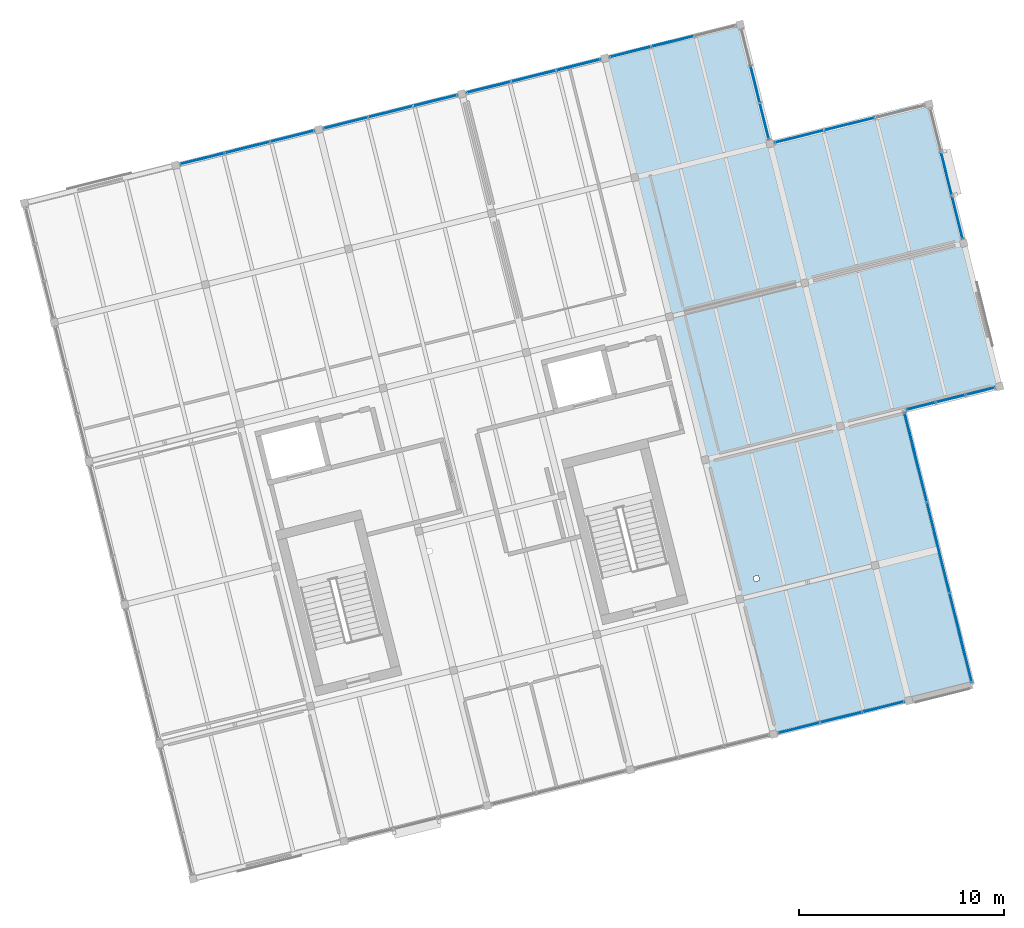
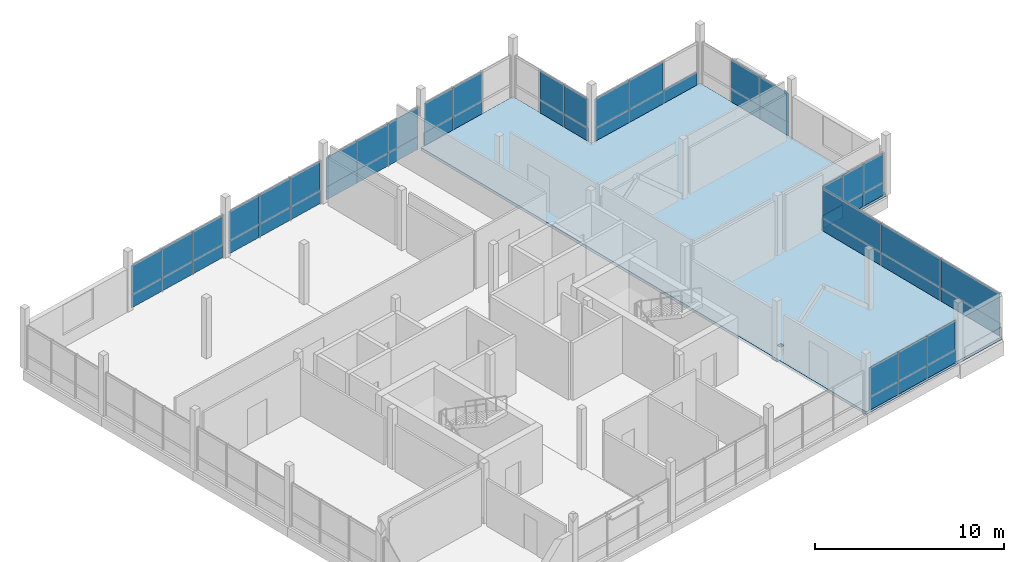
# One storey, part 24 of 28: 53 plates, 1 slab, 10 elements without a shape of their own.
"""IFC4 building model written with IfcOpenShell, lengths in metres."""

from ifc_helpers import new_model, si_unit, direction, frame, origin, origin_2d, place, context, subcontext, project, spatial, polyline, rectangle, outline, extrude, material, layer, layer_set, type_object, element, aggregate, save


model = new_model("IFC4")

# Units and contexts
model_context = context("Model", 3, precision=1e-05, world=origin(), true_north=direction((0.0, 1.0)))
body_context = subcontext(model_context, "Body", "Model", "MODEL_VIEW")
ifc_project = project(units=[si_unit("LENGTHUNIT", "METRE"), si_unit("AREAUNIT", "SQUARE_METRE"), si_unit("VOLUMEUNIT", "CUBIC_METRE"), si_unit("PLANEANGLEUNIT", "RADIAN"), si_unit("MASSUNIT", "GRAM", prefix="KILO")], contexts=[model_context])

# Site, building, storey
site_placement = place(None, origin())
site = spatial("IfcSite", under=ifc_project, at=site_placement, CompositionType="ELEMENT")
building_placement = place(site_placement, origin())
building = spatial("IfcBuilding", under=site, at=building_placement, Name="Meriwether Solvik Hall", CompositionType="ELEMENT")
storey_placement = place(building_placement, frame((0.0, 0.0, 37.800048828125)))
storey = spatial("IfcBuildingStorey", under=building, at=storey_placement, Name="L09", CompositionType="ELEMENT", Elevation=37.800048828125)

# Curtain wall, plates
ifc_material_1 = material(Name="Thermally Broken Anodised Aluminium 6063-T6 and Low-E Glass", Category="aluminium")
ifc_layer_1 = layer(ifc_material_1, 0.179931640625)
ifc_layer_set_1 = layer_set([ifc_layer_1], Name="Thermally Broken Anodised Aluminium 6063-T6 and Low-E Glass")
curtain_wall_type_1 = type_object("IfcCurtainWallType", Name="CW-UNIT-D", PredefinedType="USERDEFINED", material=ifc_layer_set_1)
curtain_wall_1_placement = place(storey_placement, origin())
curtain_wall_1 = element("IfcCurtainWall", 1, at=curtain_wall_1_placement, inside=storey, type_object=curtain_wall_type_1, Name="Curtain Wall E3_B1 (L09)", ObjectType="UNITISED CURTAIN WALL", PredefinedType="USERDEFINED")
ifc_material_2 = material(Name="Low-Emissivity Double-Glazed Laminated Glass", Category="glass")
ifc_layer_2 = layer(ifc_material_2, 0.031982421875)
ifc_layer_set_2 = layer_set([ifc_layer_2], Name="Low-Emissivity Double-Glazed Laminated Glass")
plate_type_1 = type_object("IfcPlateType", Name="PLT-GLZ-180X185", PredefinedType="CURTAIN_PANEL", material=ifc_layer_set_2)
plate_1_placement = place(storey_placement, frame((105.365966796875, 75.61669921875, 0.8369140625), z_axis=(0.0, 0.0, 1.0), x_axis=(0.241921804422, -0.970295749009, 0.0)))
plate_1 = element("IfcPlate", 2, at=plate_1_placement, type_object=plate_type_1, Name="Low-E Vision Glazing Panel 2", PredefinedType="CURTAIN_PANEL", context=body_context, shape_type="SweptSolid", body=[
    extrude(rectangle(XDim=2.19580078125, YDim=0.033935546875, at=origin_2d()), origin(), (0.0, 0.0, 1.0), 1.89306640625),
])
plate_2_placement = place(storey_placement, frame((105.89453125, 73.4970703125, 0.8369140625), z_axis=(0.0, 0.0, 1.0), x_axis=(0.241921804422, -0.970295749009, 0.0)))
plate_2 = element("IfcPlate", 3, at=plate_2_placement, type_object=plate_type_1, Name="Low-E Vision Glazing Panel 3", PredefinedType="CURTAIN_PANEL", context=body_context, shape_type="SweptSolid", body=[
    extrude(rectangle(XDim=2.15771484375, YDim=0.033935546875, at=origin_2d()), origin(), (0.0, 0.0, 1.0), 1.89306640625),
])

ifc_material_3 = material(Name="Thermally Broken Anodised Aluminium 6063-T6 and Low-E Glass", Category="aluminium")
ifc_layer_3 = layer(ifc_material_3, 0.179931640625)
ifc_layer_set_3 = layer_set([ifc_layer_3], Name="Thermally Broken Anodised Aluminium 6063-T6 and Low-E Glass")
curtain_wall_type_2 = type_object("IfcCurtainWallType", Name="CW-UNIT-G", PredefinedType="USERDEFINED", material=ifc_layer_set_3)
curtain_wall_2_placement = place(storey_placement, origin())
curtain_wall_2 = element("IfcCurtainWall", 4, at=curtain_wall_2_placement, inside=storey, type_object=curtain_wall_type_2, Name="Curtain Wall E6_B1 (L09)", ObjectType="UNITISED CURTAIN WALL", PredefinedType="USERDEFINED")
plate_3_placement = place(storey_placement, frame((69.0576171875, 76.35498046875, 0.8369140625), z_axis=(0.0, 0.0, 1.0), x_axis=(0.970295725693, 0.241921897937, 0.0)))
plate_3 = element("IfcPlate", 5, at=plate_3_placement, type_object=plate_type_1, Name="Low-E Vision Glazing Panel 1", PredefinedType="CURTAIN_PANEL", context=body_context, shape_type="SweptSolid", body=[
    extrude(rectangle(XDim=2.224365234375, YDim=0.033935546875, at=origin_2d()), origin(), (0.0, 0.0, 1.0), 1.89306640625),
])
plate_4_placement = place(storey_placement, frame((71.241943359375, 76.899658203125, 0.8369140625), z_axis=(0.0, 0.0, 1.0), x_axis=(0.970295725693, 0.241921897937, 0.0)))
plate_4 = element("IfcPlate", 6, at=plate_4_placement, type_object=plate_type_1, Name="Low-E Vision Glazing Panel 2", PredefinedType="CURTAIN_PANEL", context=body_context, shape_type="SweptSolid", body=[
    extrude(rectangle(XDim=2.26220703125, YDim=0.033935546875, at=origin_2d()), origin(), (0.0, 0.0, 1.0), 1.89306640625),
])
plate_5_placement = place(storey_placement, frame((73.426513671875, 77.4443359375, 0.8369140625), z_axis=(0.0, 0.0, 1.0), x_axis=(0.970295725693, 0.241921897937, 0.0)))
plate_5 = element("IfcPlate", 7, at=plate_5_placement, type_object=plate_type_1, Name="Low-E Vision Glazing Panel 3", PredefinedType="CURTAIN_PANEL", context=body_context, shape_type="SweptSolid", body=[
    extrude(rectangle(XDim=2.224365234375, YDim=0.033935546875, at=origin_2d()), origin(), (0.0, 0.0, 1.0), 1.89306640625),
])

curtain_wall_3_placement = place(storey_placement, origin())
curtain_wall_3 = element("IfcCurtainWall", 8, at=curtain_wall_3_placement, inside=storey, type_object=curtain_wall_type_1, Name="Curtain Wall E0_B4 (L09)", ObjectType="UNITISED CURTAIN WALL", PredefinedType="USERDEFINED")
ifc_material_4 = material(Name="Low-Emissivity Double-Glazed Laminated Glass", Category="glass")
ifc_layer_4 = layer(ifc_material_4, 0.031982421875)
ifc_layer_set_4 = layer_set([ifc_layer_4], Name="Low-Emissivity Double-Glazed Laminated Glass")
plate_type_2 = type_object("IfcPlateType", Name="PLT-GLZ-195X185", PredefinedType="CURTAIN_PANEL", material=ifc_layer_set_4)
plate_6_placement = place(storey_placement, frame((102.28662109375, 49.59912109375, 0.8369140625), z_axis=(0.0, 0.0, 1.0), x_axis=(-0.970295737161, -0.241921851942, 0.0)))
plate_6 = element("IfcPlate", 9, at=plate_6_placement, type_object=plate_type_2, Name="Low-E Vision Glazing Panel 1", PredefinedType="CURTAIN_PANEL", context=body_context, shape_type="SweptSolid", body=[
    extrude(rectangle(XDim=2.091064453125, YDim=0.033935546875, at=origin_2d()), origin(), (0.0, 0.0, 1.0), 1.89306640625),
])
plate_7_placement = place(storey_placement, frame((100.231689453125, 49.086669921875, 0.8369140625), z_axis=(0.0, 0.0, 1.0), x_axis=(-0.970295737161, -0.241921851942, 0.0)))
plate_7 = element("IfcPlate", 10, at=plate_7_placement, type_object=plate_type_2, Name="Low-E Vision Glazing Panel 2", PredefinedType="CURTAIN_PANEL", context=body_context, shape_type="SweptSolid", body=[
    extrude(rectangle(XDim=2.12890625, YDim=0.033935546875, at=origin_2d()), origin(), (0.0, 0.0, 1.0), 1.89306640625),
])
plate_8_placement = place(storey_placement, frame((98.176513671875, 48.57421875, 0.8369140625), z_axis=(0.0, 0.0, 1.0), x_axis=(-0.970295737161, -0.241921851942, 0.0)))
plate_8 = element("IfcPlate", 11, at=plate_8_placement, type_object=plate_type_2, Name="Low-E Vision Glazing Panel 3", PredefinedType="CURTAIN_PANEL", context=body_context, shape_type="SweptSolid", body=[
    extrude(rectangle(XDim=2.091064453125, YDim=0.033935546875, at=origin_2d()), origin(), (0.0, 0.0, 1.0), 1.89306640625),
])

ifc_material_5 = material(Name="Thermally Broken Anodised Aluminium 6063-T6 and Low-E Glass", Category="aluminium")
ifc_layer_5 = layer(ifc_material_5, 0.179931640625)
ifc_layer_set_5 = layer_set([ifc_layer_5], Name="Thermally Broken Anodised Aluminium 6063-T6 and Low-E Glass")
curtain_wall_type_3 = type_object("IfcCurtainWallType", Name="CW-UNIT-A", PredefinedType="USERDEFINED", material=ifc_layer_set_5)
curtain_wall_4_placement = place(storey_placement, origin())
curtain_wall_4 = element("IfcCurtainWall", 12, at=curtain_wall_4_placement, inside=storey, type_object=curtain_wall_type_3, Name="Curtain Wall E1_B0 (L09)", ObjectType="UNITISED CURTAIN WALL", PredefinedType="USERDEFINED")
plate_9_placement = place(storey_placement, frame((103.87109375, 61.771484375, 0.8369140625), z_axis=(0.0, 0.0, 1.0), x_axis=(0.241921914296, -0.970295721615, 0.0)))
plate_9 = element("IfcPlate", 13, at=plate_9_placement, type_object=plate_type_2, Name="Low-E Vision Glazing Panel 1", PredefinedType="CURTAIN_PANEL", context=body_context, shape_type="SweptSolid", body=[
    extrude(rectangle(XDim=4.500732421875, YDim=0.033935546875, at=origin_2d()), origin(), (0.0, 0.0, 1.0), 1.89306640625),
])
plate_10_placement = place(storey_placement, frame((104.96630859375, 57.37841796875, 0.8369140625), z_axis=(0.0, 0.0, 1.0), x_axis=(0.241921914296, -0.970295721615, 0.0)))
plate_10 = element("IfcPlate", 14, at=plate_10_placement, type_object=plate_type_2, Name="Low-E Vision Glazing Panel 2", PredefinedType="CURTAIN_PANEL", context=body_context, shape_type="SweptSolid", body=[
    extrude(rectangle(XDim=4.538818359375, YDim=0.033935546875, at=origin_2d()), origin(), (0.0, 0.0, 1.0), 1.89306640625),
])
plate_11_placement = place(storey_placement, frame((106.061767578125, 52.985107421875, 0.8369140625), z_axis=(0.0, 0.0, 1.0), x_axis=(0.241921914296, -0.970295721615, 0.0)))
plate_11 = element("IfcPlate", 15, at=plate_11_placement, type_object=plate_type_2, Name="Low-E Vision Glazing Panel 3", PredefinedType="CURTAIN_PANEL", context=body_context, shape_type="SweptSolid", body=[
    extrude(rectangle(XDim=4.500732421875, YDim=0.033935546875, at=origin_2d()), origin(), (0.0, 0.0, 1.0), 1.89306640625),
])

ifc_material_6 = material(Name="Thermally Broken Anodised Aluminium 6063-T6 and Low-E Glass", Category="aluminium")
ifc_layer_6 = layer(ifc_material_6, 0.179931640625)
ifc_layer_set_6 = layer_set([ifc_layer_6], Name="Thermally Broken Anodised Aluminium 6063-T6 and Low-E Glass")
curtain_wall_type_4 = type_object("IfcCurtainWallType", Name="CW-UNIT-B", PredefinedType="USERDEFINED", material=ifc_layer_set_6)
curtain_wall_5_placement = place(storey_placement, origin())
curtain_wall_5 = element("IfcCurtainWall", 16, at=curtain_wall_5_placement, inside=storey, type_object=curtain_wall_type_4, Name="Curtain Wall E2_B0 (L09)", ObjectType="UNITISED CURTAIN WALL", PredefinedType="USERDEFINED")
plate_12_placement = place(storey_placement, frame((107.015380859375, 65.00048828125, 0.8369140625), z_axis=(0.0, 0.0, 1.0), x_axis=(-0.970295698341, -0.241922007641, 0.0)))
plate_12 = element("IfcPlate", 17, at=plate_12_placement, type_object=plate_type_2, Name="Low-E Vision Glazing Panel 1", PredefinedType="CURTAIN_PANEL", context=body_context, shape_type="SweptSolid", body=[
    extrude(rectangle(XDim=1.46240234375, YDim=0.033935546875, at=origin_2d()), origin(), (0.0, 0.0, 1.0), 1.89306640625),
])
plate_13_placement = place(storey_placement, frame((105.5703125, 64.64013671875, 0.8369140625), z_axis=(0.0, 0.0, 1.0), x_axis=(-0.970295698341, -0.241922007641, 0.0)))
plate_13 = element("IfcPlate", 18, at=plate_13_placement, type_object=plate_type_2, Name="Low-E Vision Glazing Panel 2", PredefinedType="CURTAIN_PANEL", context=body_context, shape_type="SweptSolid", body=[
    extrude(rectangle(XDim=1.50048828125, YDim=0.033935546875, at=origin_2d()), origin(), (0.0, 0.0, 1.0), 1.89306640625),
])
plate_14_placement = place(storey_placement, frame((104.125, 64.27978515625, 0.8369140625), z_axis=(0.0, 0.0, 1.0), x_axis=(-0.970295698341, -0.241922007641, 0.0)))
plate_14 = element("IfcPlate", 19, at=plate_14_placement, type_object=plate_type_2, Name="Low-E Vision Glazing Panel 3", PredefinedType="CURTAIN_PANEL", context=body_context, shape_type="SweptSolid", body=[
    extrude(rectangle(XDim=1.46240234375, YDim=0.033935546875, at=origin_2d()), origin(), (0.0, 0.0, 1.0), 1.89306640625),
])

curtain_wall_6_placement = place(storey_placement, origin())
curtain_wall_6 = element("IfcCurtainWall", 20, at=curtain_wall_6_placement, inside=storey, type_object=curtain_wall_type_1, Name="Curtain Wall E4_B0 (L09)", ObjectType="UNITISED CURTAIN WALL", PredefinedType="USERDEFINED")
plate_15_placement = place(storey_placement, frame((98.19482421875, 77.43603515625, 0.8369140625), z_axis=(0.0, 0.0, 1.0), x_axis=(0.970295706376, 0.241921975414, 0.0)))
plate_15 = element("IfcPlate", 21, at=plate_15_placement, type_object=plate_type_2, Name="Low-E Vision Glazing Panel 1", PredefinedType="CURTAIN_PANEL", context=body_context, shape_type="SweptSolid", body=[
    extrude(rectangle(XDim=2.490966796875, YDim=0.033935546875, at=origin_2d()), origin(), (0.0, 0.0, 1.0), 1.89306640625),
])
plate_16_placement = place(storey_placement, frame((100.637939453125, 78.045166015625, 0.8369140625), z_axis=(0.0, 0.0, 1.0), x_axis=(0.970295706376, 0.241921975414, 0.0)))
plate_16 = element("IfcPlate", 22, at=plate_16_placement, type_object=plate_type_2, Name="Low-E Vision Glazing Panel 2", PredefinedType="CURTAIN_PANEL", context=body_context, shape_type="SweptSolid", body=[
    extrude(rectangle(XDim=2.529052734375, YDim=0.033935546875, at=origin_2d()), origin(), (0.0, 0.0, 1.0), 1.89306640625),
])

ifc_material_7 = material(Name="Thermally Broken Anodised Aluminium 6063-T6 and Low-E Glass", Category="aluminium")
ifc_layer_7 = layer(ifc_material_7, 0.179931640625)
ifc_layer_set_7 = layer_set([ifc_layer_7], Name="Thermally Broken Anodised Aluminium 6063-T6 and Low-E Glass")
curtain_wall_type_5 = type_object("IfcCurtainWallType", Name="CW-UNIT-E", PredefinedType="USERDEFINED", material=ifc_layer_set_7)
curtain_wall_7_placement = place(storey_placement, origin())
curtain_wall_7 = element("IfcCurtainWall", 23, at=curtain_wall_7_placement, inside=storey, type_object=curtain_wall_type_5, Name="Curtain Wall E5_B0 (L09)", ObjectType="UNITISED CURTAIN WALL", PredefinedType="USERDEFINED")
plate_17_placement = place(storey_placement, frame((96.031005859375, 79.98828125, 0.8369140625), z_axis=(0.0, 0.0, 1.0), x_axis=(0.241921782102, -0.970295754574, 0.0)))
plate_17 = element("IfcPlate", 24, at=plate_17_placement, type_object=plate_type_2, Name="Low-E Vision Glazing Panel 2", PredefinedType="CURTAIN_PANEL", context=body_context, shape_type="SweptSolid", body=[
    extrude(rectangle(XDim=1.8623046875, YDim=0.033935546875, at=origin_2d()), origin(), (0.0, 0.0, 1.0), 1.89306640625),
])
plate_18_placement = place(storey_placement, frame((96.47900390625, 78.19189453125, 0.8369140625), z_axis=(0.0, 0.0, 1.0), x_axis=(0.241921782102, -0.970295754574, 0.0)))
plate_18 = element("IfcPlate", 25, at=plate_18_placement, type_object=plate_type_2, Name="Low-E Vision Glazing Panel 3", PredefinedType="CURTAIN_PANEL", context=body_context, shape_type="SweptSolid", body=[
    extrude(rectangle(XDim=1.82421875, YDim=0.033935546875, at=origin_2d()), origin(), (0.0, 0.0, 1.0), 1.89306640625),
])

ifc_material_8 = material(Name="Thermally Broken Anodised Aluminium 6063-T6 and Low-E Glass", Category="aluminium")
ifc_layer_8 = layer(ifc_material_8, 0.179931640625)
ifc_layer_set_8 = layer_set([ifc_layer_8], Name="Thermally Broken Anodised Aluminium 6063-T6 and Low-E Glass")
curtain_wall_type_6 = type_object("IfcCurtainWallType", Name="CW-UNIT-C", PredefinedType="USERDEFINED", material=ifc_layer_set_8)
curtain_wall_8_placement = place(storey_placement, origin())
curtain_wall_8 = element("IfcCurtainWall", 26, at=curtain_wall_8_placement, inside=storey, type_object=curtain_wall_type_6, Name="Curtain Wall E6_B4 (L09)", ObjectType="UNITISED CURTAIN WALL", PredefinedType="USERDEFINED")
plate_19_placement = place(storey_placement, frame((89.951171875, 81.564208984375, 0.8369140625), z_axis=(0.0, 0.0, 1.0), x_axis=(0.970295737161, 0.241921851942, 0.0)))
plate_19 = element("IfcPlate", 27, at=plate_19_placement, type_object=plate_type_2, Name="Low-E Vision Glazing Panel 1", PredefinedType="CURTAIN_PANEL", context=body_context, shape_type="SweptSolid", body=[
    extrude(rectangle(XDim=2.091064453125, YDim=0.033935546875, at=origin_2d()), origin(), (0.0, 0.0, 1.0), 1.89306640625),
])
plate_20_placement = place(storey_placement, frame((92.00634765625, 82.07666015625, 0.8369140625), z_axis=(0.0, 0.0, 1.0), x_axis=(0.970295737161, 0.241921851942, 0.0)))
plate_20 = element("IfcPlate", 28, at=plate_20_placement, type_object=plate_type_2, Name="Low-E Vision Glazing Panel 2", PredefinedType="CURTAIN_PANEL", context=body_context, shape_type="SweptSolid", body=[
    extrude(rectangle(XDim=2.12890625, YDim=0.033935546875, at=origin_2d()), origin(), (0.0, 0.0, 1.0), 1.89306640625),
])

curtain_wall_9_placement = place(storey_placement, origin())
curtain_wall_9 = element("IfcCurtainWall", 29, at=curtain_wall_9_placement, inside=storey, type_object=curtain_wall_type_4, Name="Curtain Wall E6_B3 (L09)", ObjectType="UNITISED CURTAIN WALL", PredefinedType="USERDEFINED")
ifc_material_9 = material(Name="Low-Emissivity Double-Glazed Laminated Glass", Category="glass")
ifc_layer_9 = layer(ifc_material_9, 0.031982421875)
ifc_layer_set_9 = layer_set([ifc_layer_9], Name="Low-Emissivity Double-Glazed Laminated Glass")
plate_type_3 = type_object("IfcPlateType", Name="PLT-GLZ-210X195", PredefinedType="CURTAIN_PANEL", material=ifc_layer_set_9)
plate_21_placement = place(storey_placement, frame((83.02978515625, 79.838623046875, 0.8369140625), z_axis=(0.0, 0.0, 1.0), x_axis=(0.970295725693, 0.241921897937, 0.0)))
plate_21 = element("IfcPlate", 30, at=plate_21_placement, type_object=plate_type_3, Name="Low-E Vision Glazing Panel 1", PredefinedType="CURTAIN_PANEL", context=body_context, shape_type="SweptSolid", body=[
    extrude(rectangle(XDim=2.224365234375, YDim=0.033935546875, at=origin_2d()), origin(), (0.0, 0.0, 1.0), 1.89306640625),
])
plate_22_placement = place(storey_placement, frame((85.214111328125, 80.38330078125, 0.8369140625), z_axis=(0.0, 0.0, 1.0), x_axis=(0.970295725693, 0.241921897937, 0.0)))
plate_22 = element("IfcPlate", 31, at=plate_22_placement, type_object=plate_type_3, Name="Low-E Vision Glazing Panel 2", PredefinedType="CURTAIN_PANEL", context=body_context, shape_type="SweptSolid", body=[
    extrude(rectangle(XDim=2.26220703125, YDim=0.033935546875, at=origin_2d()), origin(), (0.0, 0.0, 1.0), 1.89306640625),
])
plate_23_placement = place(storey_placement, frame((87.398681640625, 80.927978515625, 0.8369140625), z_axis=(0.0, 0.0, 1.0), x_axis=(0.970295725693, 0.241921897937, 0.0)))
plate_23 = element("IfcPlate", 32, at=plate_23_placement, type_object=plate_type_3, Name="Low-E Vision Glazing Panel 3", PredefinedType="CURTAIN_PANEL", context=body_context, shape_type="SweptSolid", body=[
    extrude(rectangle(XDim=2.224365234375, YDim=0.033935546875, at=origin_2d()), origin(), (0.0, 0.0, 1.0), 1.89306640625),
])

curtain_wall_10_placement = place(storey_placement, origin())
curtain_wall_10 = element("IfcCurtainWall", 33, at=curtain_wall_10_placement, inside=storey, type_object=curtain_wall_type_3, Name="Curtain Wall E6_B2 (L09)", ObjectType="UNITISED CURTAIN WALL", PredefinedType="USERDEFINED")
ifc_material_10 = material(Name="Low-Emissivity Double-Glazed Laminated Glass", Category="glass")
ifc_layer_10 = layer(ifc_material_10, 0.031982421875)
ifc_layer_set_10 = layer_set([ifc_layer_10], Name="Low-Emissivity Double-Glazed Laminated Glass")
plate_type_4 = type_object("IfcPlateType", Name="PLT-GLZ-225X195", PredefinedType="CURTAIN_PANEL", material=ifc_layer_set_10)
plate_24_placement = place(storey_placement, frame((76.043701171875, 78.0966796875, 0.8369140625), z_axis=(0.0, 0.0, 1.0), x_axis=(0.970295725693, 0.241921897937, 0.0)))
plate_24 = element("IfcPlate", 34, at=plate_24_placement, type_object=plate_type_4, Name="Low-E Vision Glazing Panel 1", PredefinedType="CURTAIN_PANEL", context=body_context, shape_type="SweptSolid", body=[
    extrude(rectangle(XDim=2.224365234375, YDim=0.033935546875, at=origin_2d()), origin(), (0.0, 0.0, 1.0), 1.89306640625),
])
plate_25_placement = place(storey_placement, frame((78.22802734375, 78.641357421875, 0.8369140625), z_axis=(0.0, 0.0, 1.0), x_axis=(0.970295725693, 0.241921897937, 0.0)))
plate_25 = element("IfcPlate", 35, at=plate_25_placement, type_object=plate_type_4, Name="Low-E Vision Glazing Panel 2", PredefinedType="CURTAIN_PANEL", context=body_context, shape_type="SweptSolid", body=[
    extrude(rectangle(XDim=2.26220703125, YDim=0.033935546875, at=origin_2d()), origin(), (0.0, 0.0, 1.0), 1.89306640625),
])
plate_26_placement = place(storey_placement, frame((80.41259765625, 79.18603515625, 0.8369140625), z_axis=(0.0, 0.0, 1.0), x_axis=(0.970295725693, 0.241921897937, 0.0)))
plate_26 = element("IfcPlate", 36, at=plate_26_placement, type_object=plate_type_4, Name="Low-E Vision Glazing Panel 3", PredefinedType="CURTAIN_PANEL", context=body_context, shape_type="SweptSolid", body=[
    extrude(rectangle(XDim=2.224365234375, YDim=0.033935546875, at=origin_2d()), origin(), (0.0, 0.0, 1.0), 1.89306640625),
])

# Plate
ifc_material_11 = material(Name="Mineral-Wool Insulated Anodised Aluminium 6063-T6", Category="aluminium")
ifc_layer_11 = layer(ifc_material_11, 0.044921875)
ifc_layer_set_11 = layer_set([ifc_layer_11], Name="Mineral-Wool Insulated Anodised Aluminium 6063-T6")
plate_type_5 = type_object("IfcPlateType", Name="PLT-SPN-225X085", PredefinedType="CURTAIN_PANEL", material=ifc_layer_set_11)
plate_27_placement = place(storey_placement, frame((102.28662109375, 49.59912109375, 0.0), z_axis=(0.0, 0.0, 1.0), x_axis=(-0.970295737161, -0.241921851942, 0.0)))
plate_27 = element("IfcPlate", 37, at=plate_27_placement, type_object=plate_type_5, Name="Insulated Spandrel Panel 1", PredefinedType="CURTAIN_PANEL", context=body_context, shape_type="SweptSolid", body=[
    extrude(rectangle(XDim=2.091064453125, YDim=0.044921875, at=origin_2d()), origin(), (0.0, 0.0, 1.0), 0.8369140625),
])

plate_28_placement = place(storey_placement, frame((100.231689453125, 49.086669921875, 0.0), z_axis=(0.0, 0.0, 1.0), x_axis=(-0.970295737161, -0.241921851942, 0.0)))
plate_28 = element("IfcPlate", 38, at=plate_28_placement, type_object=plate_type_5, Name="Insulated Spandrel Panel 2", PredefinedType="CURTAIN_PANEL", context=body_context, shape_type="SweptSolid", body=[
    extrude(rectangle(XDim=2.12890625, YDim=0.044921875, at=origin_2d()), origin(), (0.0, 0.0, 1.0), 0.8369140625),
])

plate_29_placement = place(storey_placement, frame((98.176513671875, 48.57421875, 0.0), z_axis=(0.0, 0.0, 1.0), x_axis=(-0.970295737161, -0.241921851942, 0.0)))
plate_29 = element("IfcPlate", 39, at=plate_29_placement, type_object=plate_type_5, Name="Insulated Spandrel Panel 3", PredefinedType="CURTAIN_PANEL", context=body_context, shape_type="SweptSolid", body=[
    extrude(rectangle(XDim=2.091064453125, YDim=0.044921875, at=origin_2d()), origin(), (0.0, 0.0, 1.0), 0.8369140625),
])

aggregate(curtain_wall_3, [plate_27, plate_6, plate_28, plate_7, plate_29, plate_8])

plate_30_placement = place(storey_placement, frame((103.87109375, 61.771484375, 0.0), z_axis=(0.0, 0.0, 1.0), x_axis=(0.241921914296, -0.970295721615, 0.0)))
plate_30 = element("IfcPlate", 40, at=plate_30_placement, type_object=plate_type_5, Name="Insulated Spandrel Panel 1", PredefinedType="CURTAIN_PANEL", context=body_context, shape_type="SweptSolid", body=[
    extrude(rectangle(XDim=4.500732421875, YDim=0.044921875, at=origin_2d()), origin(), (0.0, 0.0, 1.0), 0.8369140625),
])

plate_31_placement = place(storey_placement, frame((104.96630859375, 57.37841796875, 0.0), z_axis=(0.0, 0.0, 1.0), x_axis=(0.241921914296, -0.970295721615, 0.0)))
plate_31 = element("IfcPlate", 41, at=plate_31_placement, type_object=plate_type_5, Name="Insulated Spandrel Panel 2", PredefinedType="CURTAIN_PANEL", context=body_context, shape_type="SweptSolid", body=[
    extrude(rectangle(XDim=4.538818359375, YDim=0.044921875, at=origin_2d()), origin(), (0.0, 0.0, 1.0), 0.8369140625),
])

plate_32_placement = place(storey_placement, frame((106.061767578125, 52.985107421875, 0.0), z_axis=(0.0, 0.0, 1.0), x_axis=(0.241921914296, -0.970295721615, 0.0)))
plate_32 = element("IfcPlate", 42, at=plate_32_placement, type_object=plate_type_5, Name="Insulated Spandrel Panel 3", PredefinedType="CURTAIN_PANEL", context=body_context, shape_type="SweptSolid", body=[
    extrude(rectangle(XDim=4.500732421875, YDim=0.044921875, at=origin_2d()), origin(), (0.0, 0.0, 1.0), 0.8369140625),
])

aggregate(curtain_wall_4, [plate_30, plate_9, plate_31, plate_10, plate_32, plate_11])

plate_33_placement = place(storey_placement, frame((107.015380859375, 65.00048828125, 0.0), z_axis=(0.0, 0.0, 1.0), x_axis=(-0.970295698341, -0.241922007641, 0.0)))
plate_33 = element("IfcPlate", 43, at=plate_33_placement, type_object=plate_type_5, Name="Insulated Spandrel Panel 1", PredefinedType="CURTAIN_PANEL", context=body_context, shape_type="SweptSolid", body=[
    extrude(rectangle(XDim=1.46240234375, YDim=0.044921875, at=origin_2d()), origin(), (0.0, 0.0, 1.0), 0.8369140625),
])

plate_34_placement = place(storey_placement, frame((105.5703125, 64.64013671875, 0.0), z_axis=(0.0, 0.0, 1.0), x_axis=(-0.970295698341, -0.241922007641, 0.0)))
plate_34 = element("IfcPlate", 44, at=plate_34_placement, type_object=plate_type_5, Name="Insulated Spandrel Panel 2", PredefinedType="CURTAIN_PANEL", context=body_context, shape_type="SweptSolid", body=[
    extrude(rectangle(XDim=1.50048828125, YDim=0.044921875, at=origin_2d()), origin(), (0.0, 0.0, 1.0), 0.8369140625),
])

plate_35_placement = place(storey_placement, frame((104.125, 64.27978515625, 0.0), z_axis=(0.0, 0.0, 1.0), x_axis=(-0.970295698341, -0.241922007641, 0.0)))
plate_35 = element("IfcPlate", 45, at=plate_35_placement, type_object=plate_type_5, Name="Insulated Spandrel Panel 3", PredefinedType="CURTAIN_PANEL", context=body_context, shape_type="SweptSolid", body=[
    extrude(rectangle(XDim=1.46240234375, YDim=0.044921875, at=origin_2d()), origin(), (0.0, 0.0, 1.0), 0.8369140625),
])

aggregate(curtain_wall_5, [plate_33, plate_12, plate_34, plate_13, plate_35, plate_14])

plate_36_placement = place(storey_placement, frame((105.365966796875, 75.61669921875, 0.0), z_axis=(0.0, 0.0, 1.0), x_axis=(0.241921804422, -0.970295749009, 0.0)))
plate_36 = element("IfcPlate", 46, at=plate_36_placement, type_object=plate_type_5, Name="Insulated Spandrel Panel 2", PredefinedType="CURTAIN_PANEL", context=body_context, shape_type="SweptSolid", body=[
    extrude(rectangle(XDim=2.19580078125, YDim=0.044921875, at=origin_2d()), origin(), (0.0, 0.0, 1.0), 0.8369140625),
])

plate_37_placement = place(storey_placement, frame((105.89453125, 73.4970703125, 0.0), z_axis=(0.0, 0.0, 1.0), x_axis=(0.241921804422, -0.970295749009, 0.0)))
plate_37 = element("IfcPlate", 47, at=plate_37_placement, type_object=plate_type_5, Name="Insulated Spandrel Panel 3", PredefinedType="CURTAIN_PANEL", context=body_context, shape_type="SweptSolid", body=[
    extrude(rectangle(XDim=2.15771484375, YDim=0.044921875, at=origin_2d()), origin(), (0.0, 0.0, 1.0), 0.8369140625),
])

aggregate(curtain_wall_1, [plate_36, plate_1, plate_37, plate_2])

plate_38_placement = place(storey_placement, frame((98.19482421875, 77.43603515625, 0.0), z_axis=(0.0, 0.0, 1.0), x_axis=(0.970295706376, 0.241921975414, 0.0)))
plate_38 = element("IfcPlate", 48, at=plate_38_placement, type_object=plate_type_5, Name="Insulated Spandrel Panel 1", PredefinedType="CURTAIN_PANEL", context=body_context, shape_type="SweptSolid", body=[
    extrude(rectangle(XDim=2.490966796875, YDim=0.044921875, at=origin_2d()), origin(), (0.0, 0.0, 1.0), 0.8369140625),
])

plate_39_placement = place(storey_placement, frame((100.637939453125, 78.045166015625, 0.0), z_axis=(0.0, 0.0, 1.0), x_axis=(0.970295706376, 0.241921975414, 0.0)))
plate_39 = element("IfcPlate", 49, at=plate_39_placement, type_object=plate_type_5, Name="Insulated Spandrel Panel 2", PredefinedType="CURTAIN_PANEL", context=body_context, shape_type="SweptSolid", body=[
    extrude(rectangle(XDim=2.529052734375, YDim=0.044921875, at=origin_2d()), origin(), (0.0, 0.0, 1.0), 0.8369140625),
])

plate_40_placement = place(storey_placement, frame((103.081298828125, 78.654296875, 0.0), z_axis=(0.0, 0.0, 1.0), x_axis=(0.970295706376, 0.241921975414, 0.0)))
plate_40 = element("IfcPlate", 50, at=plate_40_placement, type_object=plate_type_5, Name="Insulated Spandrel Panel 3", PredefinedType="CURTAIN_PANEL", context=body_context, shape_type="SweptSolid", body=[
    extrude(rectangle(XDim=2.490966796875, YDim=0.044921875, at=origin_2d()), origin(), (0.0, 0.0, 1.0), 0.8369140625),
])

aggregate(curtain_wall_6, [plate_38, plate_15, plate_39, plate_16, plate_40])

plate_41_placement = place(storey_placement, frame((96.031005859375, 79.98828125, 0.0), z_axis=(0.0, 0.0, 1.0), x_axis=(0.241921782102, -0.970295754574, 0.0)))
plate_41 = element("IfcPlate", 51, at=plate_41_placement, type_object=plate_type_5, Name="Insulated Spandrel Panel 2", PredefinedType="CURTAIN_PANEL", context=body_context, shape_type="SweptSolid", body=[
    extrude(rectangle(XDim=1.8623046875, YDim=0.044921875, at=origin_2d()), origin(), (0.0, 0.0, 1.0), 0.8369140625),
])

plate_42_placement = place(storey_placement, frame((96.47900390625, 78.19189453125, 0.0), z_axis=(0.0, 0.0, 1.0), x_axis=(0.241921782102, -0.970295754574, 0.0)))
plate_42 = element("IfcPlate", 52, at=plate_42_placement, type_object=plate_type_5, Name="Insulated Spandrel Panel 3", PredefinedType="CURTAIN_PANEL", context=body_context, shape_type="SweptSolid", body=[
    extrude(rectangle(XDim=1.82421875, YDim=0.044921875, at=origin_2d()), origin(), (0.0, 0.0, 1.0), 0.8369140625),
])

aggregate(curtain_wall_7, [plate_41, plate_17, plate_42, plate_18])

plate_43_placement = place(storey_placement, frame((69.0576171875, 76.35498046875, 0.0), z_axis=(0.0, 0.0, 1.0), x_axis=(0.970295725693, 0.241921897937, 0.0)))
plate_43 = element("IfcPlate", 53, at=plate_43_placement, type_object=plate_type_5, Name="Insulated Spandrel Panel 1", PredefinedType="CURTAIN_PANEL", context=body_context, shape_type="SweptSolid", body=[
    extrude(rectangle(XDim=2.224365234375, YDim=0.044921875, at=origin_2d()), origin(), (0.0, 0.0, 1.0), 0.8369140625),
])

plate_44_placement = place(storey_placement, frame((71.241943359375, 76.899658203125, 0.0), z_axis=(0.0, 0.0, 1.0), x_axis=(0.970295725693, 0.241921897937, 0.0)))
plate_44 = element("IfcPlate", 54, at=plate_44_placement, type_object=plate_type_5, Name="Insulated Spandrel Panel 2", PredefinedType="CURTAIN_PANEL", context=body_context, shape_type="SweptSolid", body=[
    extrude(rectangle(XDim=2.26220703125, YDim=0.044921875, at=origin_2d()), origin(), (0.0, 0.0, 1.0), 0.8369140625),
])

plate_45_placement = place(storey_placement, frame((73.426513671875, 77.4443359375, 0.0), z_axis=(0.0, 0.0, 1.0), x_axis=(0.970295725693, 0.241921897937, 0.0)))
plate_45 = element("IfcPlate", 55, at=plate_45_placement, type_object=plate_type_5, Name="Insulated Spandrel Panel 3", PredefinedType="CURTAIN_PANEL", context=body_context, shape_type="SweptSolid", body=[
    extrude(rectangle(XDim=2.224365234375, YDim=0.044921875, at=origin_2d()), origin(), (0.0, 0.0, 1.0), 0.8369140625),
])

aggregate(curtain_wall_2, [plate_43, plate_3, plate_44, plate_4, plate_45, plate_5])

plate_46_placement = place(storey_placement, frame((76.043701171875, 78.0966796875, 0.0), z_axis=(0.0, 0.0, 1.0), x_axis=(0.970295725693, 0.241921897937, 0.0)))
plate_46 = element("IfcPlate", 56, at=plate_46_placement, type_object=plate_type_5, Name="Insulated Spandrel Panel 1", PredefinedType="CURTAIN_PANEL", context=body_context, shape_type="SweptSolid", body=[
    extrude(rectangle(XDim=2.224365234375, YDim=0.044921875, at=origin_2d()), origin(), (0.0, 0.0, 1.0), 0.8369140625),
])

plate_47_placement = place(storey_placement, frame((78.22802734375, 78.641357421875, 0.0), z_axis=(0.0, 0.0, 1.0), x_axis=(0.970295725693, 0.241921897937, 0.0)))
plate_47 = element("IfcPlate", 57, at=plate_47_placement, type_object=plate_type_5, Name="Insulated Spandrel Panel 2", PredefinedType="CURTAIN_PANEL", context=body_context, shape_type="SweptSolid", body=[
    extrude(rectangle(XDim=2.26220703125, YDim=0.044921875, at=origin_2d()), origin(), (0.0, 0.0, 1.0), 0.8369140625),
])

plate_48_placement = place(storey_placement, frame((80.41259765625, 79.18603515625, 0.0), z_axis=(0.0, 0.0, 1.0), x_axis=(0.970295725693, 0.241921897937, 0.0)))
plate_48 = element("IfcPlate", 58, at=plate_48_placement, type_object=plate_type_5, Name="Insulated Spandrel Panel 3", PredefinedType="CURTAIN_PANEL", context=body_context, shape_type="SweptSolid", body=[
    extrude(rectangle(XDim=2.224365234375, YDim=0.044921875, at=origin_2d()), origin(), (0.0, 0.0, 1.0), 0.8369140625),
])

aggregate(curtain_wall_10, [plate_46, plate_24, plate_47, plate_25, plate_48, plate_26])

plate_49_placement = place(storey_placement, frame((83.02978515625, 79.838623046875, 0.0), z_axis=(0.0, 0.0, 1.0), x_axis=(0.970295725693, 0.241921897937, 0.0)))
plate_49 = element("IfcPlate", 59, at=plate_49_placement, type_object=plate_type_5, Name="Insulated Spandrel Panel 1", PredefinedType="CURTAIN_PANEL", context=body_context, shape_type="SweptSolid", body=[
    extrude(rectangle(XDim=2.224365234375, YDim=0.044921875, at=origin_2d()), origin(), (0.0, 0.0, 1.0), 0.8369140625),
])

plate_50_placement = place(storey_placement, frame((85.214111328125, 80.38330078125, 0.0), z_axis=(0.0, 0.0, 1.0), x_axis=(0.970295725693, 0.241921897937, 0.0)))
plate_50 = element("IfcPlate", 60, at=plate_50_placement, type_object=plate_type_5, Name="Insulated Spandrel Panel 2", PredefinedType="CURTAIN_PANEL", context=body_context, shape_type="SweptSolid", body=[
    extrude(rectangle(XDim=2.26220703125, YDim=0.044921875, at=origin_2d()), origin(), (0.0, 0.0, 1.0), 0.8369140625),
])

plate_51_placement = place(storey_placement, frame((87.398681640625, 80.927978515625, 0.0), z_axis=(0.0, 0.0, 1.0), x_axis=(0.970295725693, 0.241921897937, 0.0)))
plate_51 = element("IfcPlate", 61, at=plate_51_placement, type_object=plate_type_5, Name="Insulated Spandrel Panel 3", PredefinedType="CURTAIN_PANEL", context=body_context, shape_type="SweptSolid", body=[
    extrude(rectangle(XDim=2.224365234375, YDim=0.044921875, at=origin_2d()), origin(), (0.0, 0.0, 1.0), 0.8369140625),
])

aggregate(curtain_wall_9, [plate_49, plate_21, plate_50, plate_22, plate_51, plate_23])

plate_52_placement = place(storey_placement, frame((89.951171875, 81.564208984375, 0.0), z_axis=(0.0, 0.0, 1.0), x_axis=(0.970295737161, 0.241921851942, 0.0)))
plate_52 = element("IfcPlate", 62, at=plate_52_placement, type_object=plate_type_5, Name="Insulated Spandrel Panel 1", PredefinedType="CURTAIN_PANEL", context=body_context, shape_type="SweptSolid", body=[
    extrude(rectangle(XDim=2.091064453125, YDim=0.044921875, at=origin_2d()), origin(), (0.0, 0.0, 1.0), 0.8369140625),
])

plate_53_placement = place(storey_placement, frame((92.00634765625, 82.07666015625, 0.0), z_axis=(0.0, 0.0, 1.0), x_axis=(0.970295737161, 0.241921851942, 0.0)))
plate_53 = element("IfcPlate", 63, at=plate_53_placement, type_object=plate_type_5, Name="Insulated Spandrel Panel 2", PredefinedType="CURTAIN_PANEL", context=body_context, shape_type="SweptSolid", body=[
    extrude(rectangle(XDim=2.12890625, YDim=0.044921875, at=origin_2d()), origin(), (0.0, 0.0, 1.0), 0.8369140625),
])

aggregate(curtain_wall_8, [plate_52, plate_19, plate_53, plate_20])

# Slab
ifc_material_12 = material(Name="Cross-Laminated Timber PRG 320 E1", Category="wood")
ifc_layer_12 = layer(ifc_material_12, 0.179931640625)
ifc_layer_set_12 = layer_set([ifc_layer_12], Name="Cross-Laminated Timber PRG 320 E1")
slab_type = type_object("IfcSlabType", Name="SLB-CLT-180", PredefinedType="FLOOR", material=ifc_layer_set_12)
slab_placement = place(storey_placement, frame((0.0, 0.0, -0.179931640625)))
element("IfcSlab", 64, at=slab_placement, inside=storey, type_object=slab_type, Name="L09 Mass-Timber CLT Floor E", PredefinedType="FLOOR", context=body_context, shape_type="SweptSolid", body=[
    extrude(outline(polyline([(95.305419921875, 82.899169921875), (96.7568359375, 77.077392578125), (104.519287109375, 79.012939453125), (107.95458984375, 65.234619140625), (103.297119140625, 64.073486328125), (106.635498046875, 50.683349609375), (96.935546875, 48.264892578125), (88.710205078125, 81.2548828125), (95.305419921875, 82.899169921875)]), holes=[polyline([(95.943115234375, 55.953125), (96.003662109375, 55.71044921875), (96.24609375, 55.77099609375), (96.185791015625, 56.013671875), (95.943115234375, 55.953125)])]), origin(), (0.0, 0.0, 1.0), 0.179931640625),
])

save(model, "model.ifc")
